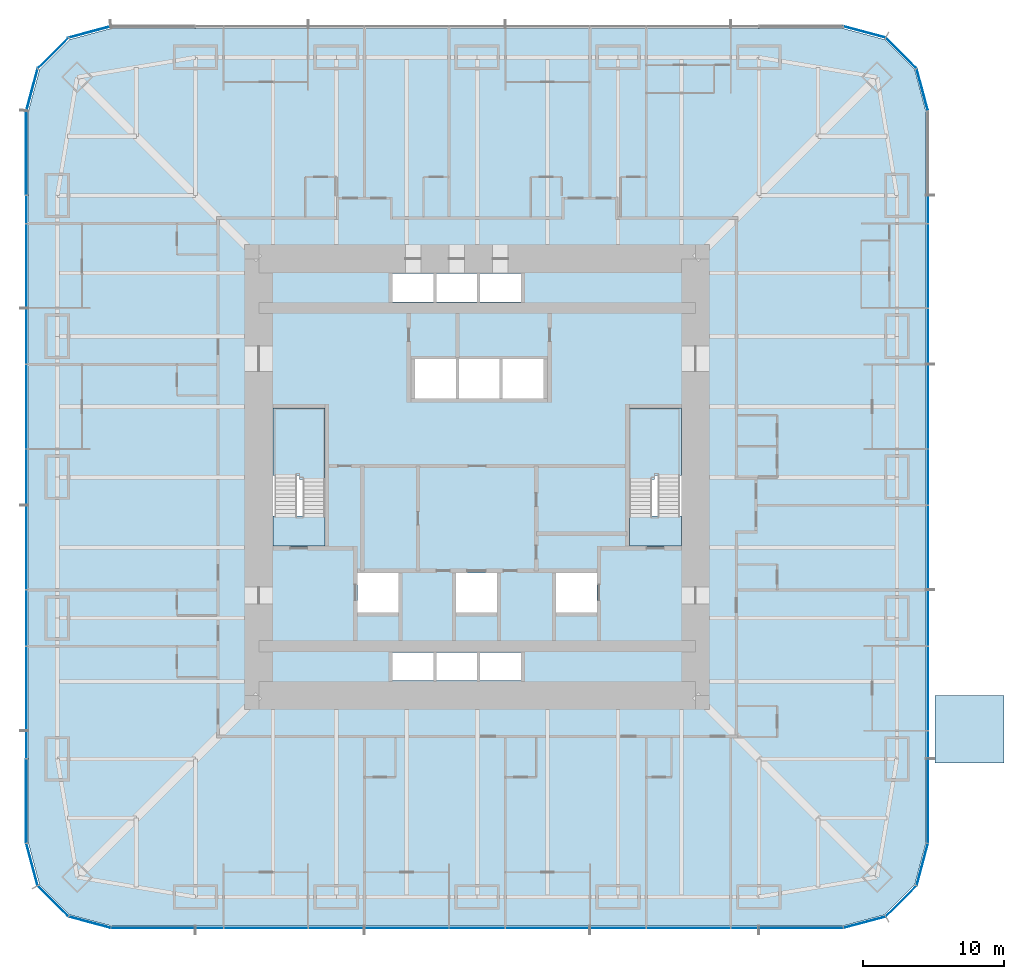
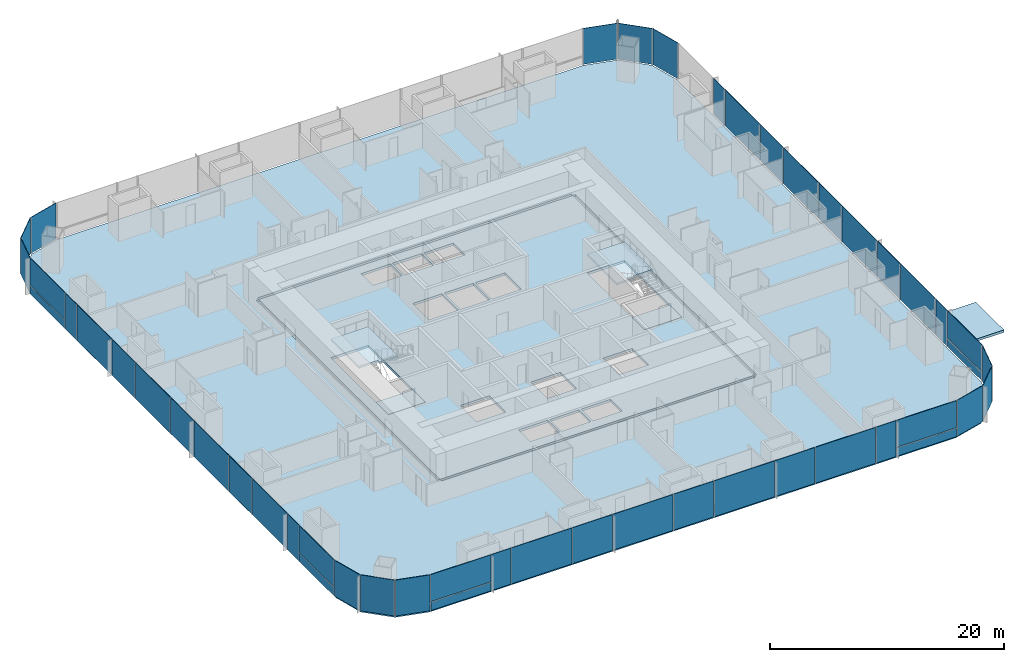
# One storey, part 13 of 20: 49 plates, 7 slabs, 9 elements without a shape of their own.
"""IFC4 building model written with IfcOpenShell, lengths in metres."""

from ifc_helpers import new_model, si_unit, direction, frame, origin, origin_2d, place, context, subcontext, project, spatial, polyline, rectangle, outline, extrude, material, layer, layer_set, type_object, element, aggregate, save


model = new_model("IFC4")

# Units and contexts
model_context = context("Model", 3, precision=1e-05, world=origin(), true_north=direction((0.0, 1.0)))
body_context = subcontext(model_context, "Body", "Model", "MODEL_VIEW")
ifc_project = project(units=[si_unit("LENGTHUNIT", "METRE"), si_unit("AREAUNIT", "SQUARE_METRE"), si_unit("VOLUMEUNIT", "CUBIC_METRE"), si_unit("PLANEANGLEUNIT", "RADIAN"), si_unit("MASSUNIT", "GRAM", prefix="KILO")], contexts=[model_context])

# Site, building, storey
site_placement = place(None, origin())
site = spatial("IfcSite", under=ifc_project, at=site_placement, CompositionType="ELEMENT")
building_placement = place(site_placement, origin())
building = spatial("IfcBuilding", under=site, at=building_placement, Name="Khuree Lantern Residences", CompositionType="ELEMENT")
storey_placement = place(building_placement, frame((0.0, 0.0, 24.75)))
storey = spatial("IfcBuildingStorey", under=building, at=storey_placement, Name="L05", CompositionType="ELEMENT", Elevation=24.75)

# Slab
ifc_material_1 = material(Name="Concrete C35/45", Category="concrete")
ifc_layer_1 = layer(ifc_material_1, 0.25)
ifc_layer_set_1 = layer_set([ifc_layer_1], Name="CFL250 CORE FLOOR SLAB 250")
slab_type_1 = type_object("IfcSlabType", Name="CFL250 CORE FLOOR SLAB 250", PredefinedType="FLOOR", material=ifc_layer_set_1)
slab_1_placement = place(storey_placement, frame((0.0, 0.0, -0.25)))
element("IfcSlab", 1, at=slab_1_placement, inside=storey, type_object=slab_type_1, Name="Core floor L05", PredefinedType="FLOOR", context=body_context, shape_type="SweptSolid", body=[
    extrude(outline(polyline([(-15.5, -15.5), (-15.5, 15.5), (15.5, 15.5), (15.5, -15.5), (-15.5, -15.5)]), holes=[polyline([(14.5, 4.89990234375), (10.800048828125, 4.89990234375), (10.800048828125, -4.89990234375), (14.5, -4.89990234375), (14.5, 4.89990234375)]), polyline([(8.5, -6.800048828125), (5.60009765625, -6.800048828125), (5.60009765625, -9.60009765625), (8.5, -9.60009765625), (8.5, -6.800048828125)]), polyline([(4.699951171875, 8.39990234375), (1.800048828125, 8.39990234375), (1.800048828125, 5.60009765625), (4.699951171875, 5.60009765625), (4.699951171875, 8.39990234375)]), polyline([(0.199951171875, -12.449951171875), (0.199951171875, -14.449951171875), (3.10009765625, -14.449951171875), (3.10009765625, -12.449951171875), (0.199951171875, -12.449951171875)]), polyline([(3.10009765625, 14.449951171875), (0.199951171875, 14.449951171875), (0.199951171875, 12.449951171875), (3.10009765625, 12.449951171875), (3.10009765625, 14.449951171875)]), polyline([(1.60009765625, 8.39990234375), (-1.300048828125, 8.39990234375), (-1.300048828125, 5.60009765625), (1.60009765625, 5.60009765625), (1.60009765625, 8.39990234375)]), polyline([(1.39990234375, -6.800048828125), (-1.5, -6.800048828125), (-1.5, -9.60009765625), (1.39990234375, -9.60009765625), (1.39990234375, -6.800048828125)]), polyline([(0.0, -12.449951171875), (-2.89990234375, -12.449951171875), (-2.89990234375, -14.449951171875), (0.0, -14.449951171875), (0.0, -12.449951171875)]), polyline([(0.0, 14.449951171875), (-2.89990234375, 14.449951171875), (-2.89990234375, 12.449951171875), (0.0, 12.449951171875), (0.0, 14.449951171875)]), polyline([(-1.5, 8.39990234375), (-4.39990234375, 8.39990234375), (-4.39990234375, 5.60009765625), (-1.5, 5.60009765625), (-1.5, 8.39990234375)]), polyline([(-6.0, -12.449951171875), (-6.0, -14.449951171875), (-3.10009765625, -14.449951171875), (-3.10009765625, -12.449951171875), (-6.0, -12.449951171875)]), polyline([(-3.10009765625, 14.449951171875), (-6.0, 14.449951171875), (-6.0, 12.449951171875), (-3.10009765625, 12.449951171875), (-3.10009765625, 14.449951171875)]), polyline([(-5.60009765625, -6.800048828125), (-8.5, -6.800048828125), (-8.5, -9.60009765625), (-5.60009765625, -9.60009765625), (-5.60009765625, -6.800048828125)]), polyline([(-10.800048828125, 4.89990234375), (-14.5, 4.89990234375), (-14.5, -4.89990234375), (-10.800048828125, -4.89990234375), (-10.800048828125, 4.89990234375)])]), origin(), (0.0, 0.0, 1.0), 0.25),
])

# Curtain wall, plates
ifc_material_2 = material(Name="Bronze anodised aluminium", Category="aluminium")
curtain_wall_type_1 = type_object("IfcCurtainWallType", Name="CW-T2 TOWER CORNER CURTAIN WALL", PredefinedType="USERDEFINED", material=ifc_material_2)
curtain_wall_1_placement = place(storey_placement, origin())
curtain_wall_1 = element("IfcCurtainWall", 2, at=curtain_wall_1_placement, inside=storey, type_object=curtain_wall_type_1, Name="L05 SOUTH-EAST CORNER CURTAIN WALL", ObjectType="Faceted corner curtain wall", PredefinedType="USERDEFINED")
ifc_material_3 = material(Name="Bronze tinted triple glazing", Category="glass")
ifc_layer_2 = layer(ifc_material_3, 0.048095703125)
ifc_layer_set_2 = layer_set([ifc_layer_2], Name="FACET PANEL P4")
plate_type_1 = type_object("IfcPlateType", Name="FACET PANEL P4", PredefinedType="CURTAIN_PANEL", material=ifc_layer_set_2)
plate_1_placement = place(storey_placement, frame((27.498046875, -31.5986328125, 0.0), z_axis=(0.0, 0.0, 1.0), x_axis=(0.965925792265, 0.258819172081, 0.0)))
plate_1 = element("IfcPlate", 3, at=plate_1_placement, type_object=plate_type_1, Name="L05 SOUTH-EAST CORNER PANEL 1.1", PredefinedType="CURTAIN_PANEL", context=body_context, shape_type="SweptSolid", body=[
    extrude(rectangle(XDim=3.02978515625, YDim=0.048095703125, at=origin_2d()), origin(), (0.0, 0.0, 1.0), 3.75),
])
plate_2_placement = place(storey_placement, frame((30.09814453125, -30.09814453125, 0.0), z_axis=(0.0, 0.0, 1.0), x_axis=(0.707106781187, 0.707106781187, 0.0)))
plate_2 = element("IfcPlate", 4, at=plate_2_placement, type_object=plate_type_1, Name="L05 SOUTH-EAST CORNER PANEL 2.1", PredefinedType="CURTAIN_PANEL", context=body_context, shape_type="SweptSolid", body=[
    extrude(rectangle(XDim=3.025634765625, YDim=0.048095703125, at=origin_2d()), origin(), (0.0, 0.0, 1.0), 3.75),
])
plate_3_placement = place(storey_placement, frame((31.5986328125, -27.498046875, 0.0), z_axis=(0.0, 0.0, 1.0), x_axis=(0.258819172081, 0.965925792265, 0.0)))
plate_3 = element("IfcPlate", 5, at=plate_3_placement, type_object=plate_type_1, Name="L05 SOUTH-EAST CORNER PANEL 3.1", PredefinedType="CURTAIN_PANEL", context=body_context, shape_type="SweptSolid", body=[
    extrude(rectangle(XDim=3.02978515625, YDim=0.048095703125, at=origin_2d()), origin(), (0.0, 0.0, 1.0), 3.75),
])
aggregate(curtain_wall_1, [plate_1, plate_2, plate_3])

curtain_wall_2_placement = place(storey_placement, origin())
curtain_wall_2 = element("IfcCurtainWall", 6, at=curtain_wall_2_placement, inside=storey, type_object=curtain_wall_type_1, Name="L05 NORTH-EAST CORNER CURTAIN WALL", ObjectType="Faceted corner curtain wall", PredefinedType="USERDEFINED")
plate_4_placement = place(storey_placement, frame((31.5986328125, 27.498046875, 0.0), z_axis=(0.0, 0.0, 1.0), x_axis=(-0.258819172081, 0.965925792265, 0.0)))
plate_4 = element("IfcPlate", 7, at=plate_4_placement, type_object=plate_type_1, Name="L05 NORTH-EAST CORNER PANEL 15.1", PredefinedType="CURTAIN_PANEL", context=body_context, shape_type="SweptSolid", body=[
    extrude(rectangle(XDim=3.02978515625, YDim=0.048095703125, at=origin_2d()), origin(), (0.0, 0.0, 1.0), 3.75),
])
plate_5_placement = place(storey_placement, frame((30.09814453125, 30.09814453125, 0.0), z_axis=(0.0, 0.0, 1.0), x_axis=(-0.707106781187, 0.707106781187, 0.0)))
plate_5 = element("IfcPlate", 8, at=plate_5_placement, type_object=plate_type_1, Name="L05 NORTH-EAST CORNER PANEL 16.1", PredefinedType="CURTAIN_PANEL", context=body_context, shape_type="SweptSolid", body=[
    extrude(rectangle(XDim=3.025634765625, YDim=0.048095703125, at=origin_2d()), origin(), (0.0, 0.0, 1.0), 3.75),
])
plate_6_placement = place(storey_placement, frame((27.498046875, 31.5986328125, 0.0), z_axis=(0.0, 0.0, 1.0), x_axis=(-0.965925792265, 0.258819172081, 0.0)))
plate_6 = element("IfcPlate", 9, at=plate_6_placement, type_object=plate_type_1, Name="L05 NORTH-EAST CORNER PANEL 17.1", PredefinedType="CURTAIN_PANEL", context=body_context, shape_type="SweptSolid", body=[
    extrude(rectangle(XDim=3.02978515625, YDim=0.048095703125, at=origin_2d()), origin(), (0.0, 0.0, 1.0), 3.75),
])
aggregate(curtain_wall_2, [plate_4, plate_5, plate_6])

curtain_wall_3_placement = place(storey_placement, origin())
curtain_wall_3 = element("IfcCurtainWall", 10, at=curtain_wall_3_placement, inside=storey, type_object=curtain_wall_type_1, Name="L05 NORTH-WEST CORNER CURTAIN WALL", ObjectType="Faceted corner curtain wall", PredefinedType="USERDEFINED")
plate_7_placement = place(storey_placement, frame((-27.498046875, 31.5986328125, 0.0), z_axis=(0.0, 0.0, 1.0), x_axis=(-0.965925792265, -0.258819172081, 0.0)))
plate_7 = element("IfcPlate", 11, at=plate_7_placement, type_object=plate_type_1, Name="L05 NORTH-WEST CORNER PANEL 29.1", PredefinedType="CURTAIN_PANEL", context=body_context, shape_type="SweptSolid", body=[
    extrude(rectangle(XDim=3.02978515625, YDim=0.048095703125, at=origin_2d()), origin(), (0.0, 0.0, 1.0), 3.75),
])
plate_8_placement = place(storey_placement, frame((-30.09814453125, 30.09814453125, 0.0), z_axis=(0.0, 0.0, 1.0), x_axis=(-0.707106781187, -0.707106781187, 0.0)))
plate_8 = element("IfcPlate", 12, at=plate_8_placement, type_object=plate_type_1, Name="L05 NORTH-WEST CORNER PANEL 30.1", PredefinedType="CURTAIN_PANEL", context=body_context, shape_type="SweptSolid", body=[
    extrude(rectangle(XDim=3.025634765625, YDim=0.048095703125, at=origin_2d()), origin(), (0.0, 0.0, 1.0), 3.75),
])
plate_9_placement = place(storey_placement, frame((-31.5986328125, 27.498046875, 0.0), z_axis=(0.0, 0.0, 1.0), x_axis=(-0.258819172081, -0.965925792265, 0.0)))
plate_9 = element("IfcPlate", 13, at=plate_9_placement, type_object=plate_type_1, Name="L05 NORTH-WEST CORNER PANEL 31.1", PredefinedType="CURTAIN_PANEL", context=body_context, shape_type="SweptSolid", body=[
    extrude(rectangle(XDim=3.02978515625, YDim=0.048095703125, at=origin_2d()), origin(), (0.0, 0.0, 1.0), 3.75),
])
aggregate(curtain_wall_3, [plate_7, plate_8, plate_9])

curtain_wall_4_placement = place(storey_placement, origin())
curtain_wall_4 = element("IfcCurtainWall", 14, at=curtain_wall_4_placement, inside=storey, type_object=curtain_wall_type_1, Name="L05 SOUTH-WEST CORNER CURTAIN WALL", ObjectType="Faceted corner curtain wall", PredefinedType="USERDEFINED")
plate_10_placement = place(storey_placement, frame((-31.5986328125, -27.498046875, 0.0), z_axis=(0.0, 0.0, 1.0), x_axis=(0.258819172081, -0.965925792265, 0.0)))
plate_10 = element("IfcPlate", 15, at=plate_10_placement, type_object=plate_type_1, Name="L05 SOUTH-WEST CORNER PANEL 43.1", PredefinedType="CURTAIN_PANEL", context=body_context, shape_type="SweptSolid", body=[
    extrude(rectangle(XDim=3.02978515625, YDim=0.048095703125, at=origin_2d()), origin(), (0.0, 0.0, 1.0), 3.75),
])
plate_11_placement = place(storey_placement, frame((-30.09814453125, -30.09814453125, 0.0), z_axis=(0.0, 0.0, 1.0), x_axis=(0.707106781187, -0.707106781187, 0.0)))
plate_11 = element("IfcPlate", 16, at=plate_11_placement, type_object=plate_type_1, Name="L05 SOUTH-WEST CORNER PANEL 44.1", PredefinedType="CURTAIN_PANEL", context=body_context, shape_type="SweptSolid", body=[
    extrude(rectangle(XDim=3.025634765625, YDim=0.048095703125, at=origin_2d()), origin(), (0.0, 0.0, 1.0), 3.75),
])
plate_12_placement = place(storey_placement, frame((-27.498046875, -31.5986328125, 0.0), z_axis=(0.0, 0.0, 1.0), x_axis=(0.965925792265, -0.258819172081, 0.0)))
plate_12 = element("IfcPlate", 17, at=plate_12_placement, type_object=plate_type_1, Name="L05 SOUTH-WEST CORNER PANEL 45.1", PredefinedType="CURTAIN_PANEL", context=body_context, shape_type="SweptSolid", body=[
    extrude(rectangle(XDim=3.02978515625, YDim=0.048095703125, at=origin_2d()), origin(), (0.0, 0.0, 1.0), 3.75),
])
aggregate(curtain_wall_4, [plate_10, plate_11, plate_12])

curtain_wall_type_2 = type_object("IfcCurtainWallType", Name="CW-T1 TOWER FACE CURTAIN WALL", PredefinedType="USERDEFINED", material=ifc_material_2)
curtain_wall_5_placement = place(storey_placement, origin())
curtain_wall_5 = element("IfcCurtainWall", 18, at=curtain_wall_5_placement, inside=storey, type_object=curtain_wall_type_2, Name="L05 EAST FACE CURTAIN WALL", ObjectType="Stick-built curtain wall", PredefinedType="USERDEFINED")
ifc_material_4 = material(Name="Bronze tinted triple glazing with a ceramic-fritted spandrel band", Category="glass")
ifc_layer_3 = layer(ifc_material_4, 0.048095703125)
ifc_layer_set_3 = layer_set([ifc_layer_3], Name="FIXED LIGHT PANEL P11")
plate_type_2 = type_object("IfcPlateType", Name="FIXED LIGHT PANEL P11", PredefinedType="CURTAIN_PANEL", material=ifc_layer_set_3)
plate_13_placement = place(storey_placement, frame((32.0, -15.0, 0.0), z_axis=(0.0, 0.0, 1.0), x_axis=(0.0, 1.0, 0.0)))
plate_13 = element("IfcPlate", 19, at=plate_13_placement, type_object=plate_type_2, Name="L05 EAST FACE PANEL 6.1", PredefinedType="CURTAIN_PANEL", context=body_context, shape_type="SweptSolid", body=[
    extrude(rectangle(XDim=5.93505859375, YDim=0.048095703125, at=origin_2d()), origin(), (0.0, 0.0, 1.0), 3.75),
])
plate_14_placement = place(storey_placement, frame((32.0, -5.0, 0.0), z_axis=(0.0, 0.0, 1.0), x_axis=(0.0, 1.0, 0.0)))
plate_14 = element("IfcPlate", 20, at=plate_14_placement, type_object=plate_type_2, Name="L05 EAST FACE PANEL 8.1", PredefinedType="CURTAIN_PANEL", context=body_context, shape_type="SweptSolid", body=[
    extrude(rectangle(XDim=5.93505859375, YDim=0.048095703125, at=origin_2d()), origin(), (0.0, 0.0, 1.0), 3.75),
])
plate_15_placement = place(storey_placement, frame((32.0, 5.0, 0.0), z_axis=(0.0, 0.0, 1.0), x_axis=(0.0, 1.0, 0.0)))
plate_15 = element("IfcPlate", 21, at=plate_15_placement, type_object=plate_type_2, Name="L05 EAST FACE PANEL 10.1", PredefinedType="CURTAIN_PANEL", context=body_context, shape_type="SweptSolid", body=[
    extrude(rectangle(XDim=5.93505859375, YDim=0.048095703125, at=origin_2d()), origin(), (0.0, 0.0, 1.0), 3.75),
])
plate_16_placement = place(storey_placement, frame((32.0, 15.0, 0.0), z_axis=(0.0, 0.0, 1.0), x_axis=(0.0, 1.0, 0.0)))
plate_16 = element("IfcPlate", 22, at=plate_16_placement, type_object=plate_type_2, Name="L05 EAST FACE PANEL 12.1", PredefinedType="CURTAIN_PANEL", context=body_context, shape_type="SweptSolid", body=[
    extrude(rectangle(XDim=5.93505859375, YDim=0.048095703125, at=origin_2d()), origin(), (0.0, 0.0, 1.0), 3.75),
])

curtain_wall_6_placement = place(storey_placement, origin())
curtain_wall_6 = element("IfcCurtainWall", 23, at=curtain_wall_6_placement, inside=storey, type_object=curtain_wall_type_2, Name="L05 WEST FACE CURTAIN WALL", ObjectType="Stick-built curtain wall", PredefinedType="USERDEFINED")
plate_17_placement = place(storey_placement, frame((-32.0, 15.0, 0.0), z_axis=(0.0, 0.0, 1.0), x_axis=(0.0, -1.0, 0.0)))
plate_17 = element("IfcPlate", 24, at=plate_17_placement, type_object=plate_type_2, Name="L05 WEST FACE PANEL 34.1", PredefinedType="CURTAIN_PANEL", context=body_context, shape_type="SweptSolid", body=[
    extrude(rectangle(XDim=5.93505859375, YDim=0.048095703125, at=origin_2d()), origin(), (0.0, 0.0, 1.0), 3.75),
])
plate_18_placement = place(storey_placement, frame((-32.0, 5.0, 0.0), z_axis=(0.0, 0.0, 1.0), x_axis=(0.0, -1.0, 0.0)))
plate_18 = element("IfcPlate", 25, at=plate_18_placement, type_object=plate_type_2, Name="L05 WEST FACE PANEL 36.1", PredefinedType="CURTAIN_PANEL", context=body_context, shape_type="SweptSolid", body=[
    extrude(rectangle(XDim=5.93505859375, YDim=0.048095703125, at=origin_2d()), origin(), (0.0, 0.0, 1.0), 3.75),
])
plate_19_placement = place(storey_placement, frame((-32.0, -5.0, 0.0), z_axis=(0.0, 0.0, 1.0), x_axis=(0.0, -1.0, 0.0)))
plate_19 = element("IfcPlate", 26, at=plate_19_placement, type_object=plate_type_2, Name="L05 WEST FACE PANEL 38.1", PredefinedType="CURTAIN_PANEL", context=body_context, shape_type="SweptSolid", body=[
    extrude(rectangle(XDim=5.93505859375, YDim=0.048095703125, at=origin_2d()), origin(), (0.0, 0.0, 1.0), 3.75),
])
plate_20_placement = place(storey_placement, frame((-32.0, -15.0, 0.0), z_axis=(0.0, 0.0, 1.0), x_axis=(0.0, -1.0, 0.0)))
plate_20 = element("IfcPlate", 27, at=plate_20_placement, type_object=plate_type_2, Name="L05 WEST FACE PANEL 40.1", PredefinedType="CURTAIN_PANEL", context=body_context, shape_type="SweptSolid", body=[
    extrude(rectangle(XDim=5.93505859375, YDim=0.048095703125, at=origin_2d()), origin(), (0.0, 0.0, 1.0), 3.75),
])

curtain_wall_7_placement = place(storey_placement, origin())
curtain_wall_7 = element("IfcCurtainWall", 28, at=curtain_wall_7_placement, inside=storey, type_object=curtain_wall_type_2, Name="L05 SOUTH FACE CURTAIN WALL", ObjectType="Stick-built curtain wall", PredefinedType="USERDEFINED")
plate_21_placement = place(storey_placement, frame((-15.0, -32.0, 0.0), z_axis=(0.0, 0.0, 1.0), x_axis=(1.0, 0.0, 0.0)))
plate_21 = element("IfcPlate", 29, at=plate_21_placement, type_object=plate_type_2, Name="L05 SOUTH FACE PANEL 48.1", PredefinedType="CURTAIN_PANEL", context=body_context, shape_type="SweptSolid", body=[
    extrude(rectangle(XDim=5.93505859375, YDim=0.048095703125, at=origin_2d()), origin(), (0.0, 0.0, 1.0), 3.75),
])
plate_22_placement = place(storey_placement, frame((-5.0, -32.0, 0.0), z_axis=(0.0, 0.0, 1.0), x_axis=(1.0, 0.0, 0.0)))
plate_22 = element("IfcPlate", 30, at=plate_22_placement, type_object=plate_type_2, Name="L05 SOUTH FACE PANEL 50.1", PredefinedType="CURTAIN_PANEL", context=body_context, shape_type="SweptSolid", body=[
    extrude(rectangle(XDim=5.93505859375, YDim=0.048095703125, at=origin_2d()), origin(), (0.0, 0.0, 1.0), 3.75),
])
plate_23_placement = place(storey_placement, frame((5.0, -32.0, 0.0), z_axis=(0.0, 0.0, 1.0), x_axis=(1.0, 0.0, 0.0)))
plate_23 = element("IfcPlate", 31, at=plate_23_placement, type_object=plate_type_2, Name="L05 SOUTH FACE PANEL 52.1", PredefinedType="CURTAIN_PANEL", context=body_context, shape_type="SweptSolid", body=[
    extrude(rectangle(XDim=5.93505859375, YDim=0.048095703125, at=origin_2d()), origin(), (0.0, 0.0, 1.0), 3.75),
])
plate_24_placement = place(storey_placement, frame((15.0, -32.0, 0.0), z_axis=(0.0, 0.0, 1.0), x_axis=(1.0, 0.0, 0.0)))
plate_24 = element("IfcPlate", 32, at=plate_24_placement, type_object=plate_type_2, Name="L05 SOUTH FACE PANEL 54.1", PredefinedType="CURTAIN_PANEL", context=body_context, shape_type="SweptSolid", body=[
    extrude(rectangle(XDim=5.93505859375, YDim=0.048095703125, at=origin_2d()), origin(), (0.0, 0.0, 1.0), 3.75),
])

# Slabs
ifc_layer_4 = layer(ifc_material_1, 0.25)
ifc_layer_set_4 = layer_set([ifc_layer_4], Name="FS250 FLOOR SLAB 250")
slab_type_2 = type_object("IfcSlabType", Name="FS250 FLOOR SLAB 250", PredefinedType="FLOOR", material=ifc_layer_set_4)
slab_2_placement = place(storey_placement, frame((0.0, 0.0, -0.25)))
element("IfcSlab", 33, at=slab_2_placement, inside=storey, type_object=slab_type_2, Name="Floor slab L05", PredefinedType="FLOOR", context=body_context, shape_type="SweptSolid", body=[
    extrude(outline(polyline([(-28.925048828125, -31.066162109375), (-31.066162109375, -28.925048828125), (-31.85009765625, -26.0), (-31.85009765625, 26.0), (-31.066162109375, 28.925048828125), (-28.925048828125, 31.066162109375), (-26.0, 31.85009765625), (26.0, 31.85009765625), (28.925048828125, 31.066162109375), (31.066162109375, 28.925048828125), (31.85009765625, 26.0), (31.85009765625, -26.0), (31.066162109375, -28.925048828125), (28.925048828125, -31.066162109375), (26.0, -31.85009765625), (-26.0, -31.85009765625), (-28.925048828125, -31.066162109375)]), holes=[polyline([(15.75, 15.5), (15.5, 15.5), (15.5, 15.75), (-15.5, 15.75), (-15.5, 15.5), (-15.75, 15.5), (-15.75, -15.5), (-15.5, -15.5), (-15.5, -15.75), (15.5, -15.75), (15.5, -15.5), (15.75, -15.5), (15.75, 15.5)])]), origin(), (0.0, 0.0, 1.0), 0.25),
])
ifc_material_5 = material(Name="Concrete C40/50", Category="concrete")
ifc_layer_5 = layer(ifc_material_5, 0.25)
ifc_layer_set_5 = layer_set([ifc_layer_5], Name="ROOF PLANT ROOM ROOF RPR250")
slab_type_3 = type_object("IfcSlabType", Name="ROOF PLANT ROOM ROOF RPR250", PredefinedType="ROOF", material=ifc_layer_set_5)
slab_3_placement = place(storey_placement, frame((0.0, 0.0, -0.25)))
element("IfcSlab", 34, at=slab_3_placement, inside=storey, type_object=slab_type_3, Name="Podium roof plant room roof", PredefinedType="ROOF", context=body_context, shape_type="SweptSolid", body=[
    extrude(outline(polyline([(32.5, -20.300048828125), (37.39990234375, -20.300048828125), (37.39990234375, -15.5), (32.5, -15.5), (32.5, -20.300048828125)])), origin(), (0.0, 0.0, 1.0), 0.25),
])

# Plate
ifc_material_6 = material(Name="Bronze tinted triple glazing, two aluminium-framed sashes in one frame", Category="aluminium")
ifc_layer_6 = layer(ifc_material_6, 0.048095703125)
ifc_layer_set_6 = layer_set([ifc_layer_6], Name="SASH PAIR PANEL P12")
plate_type_3 = type_object("IfcPlateType", Name="SASH PAIR PANEL P12", PredefinedType="CURTAIN_PANEL", material=ifc_layer_set_6)
plate_25_placement = place(storey_placement, frame((32.0, -10.0, 0.0), z_axis=(0.0, 0.0, 1.0), x_axis=(0.0, 1.0, 0.0)))
plate_25 = element("IfcPlate", 35, at=plate_25_placement, type_object=plate_type_3, Name="L05 EAST FACE PANEL 7.1", PredefinedType="CURTAIN_PANEL", context=body_context, shape_type="SweptSolid", body=[
    extrude(rectangle(XDim=3.93505859375, YDim=0.048095703125, at=origin_2d()), origin(), (0.0, 0.0, 1.0), 3.75),
])

plate_26_placement = place(storey_placement, frame((32.0, 0.0, 0.0), z_axis=(0.0, 0.0, 1.0), x_axis=(0.0, 1.0, 0.0)))
plate_26 = element("IfcPlate", 36, at=plate_26_placement, type_object=plate_type_3, Name="L05 EAST FACE PANEL 9.1", PredefinedType="CURTAIN_PANEL", context=body_context, shape_type="SweptSolid", body=[
    extrude(rectangle(XDim=3.93505859375, YDim=0.048095703125, at=origin_2d()), origin(), (0.0, 0.0, 1.0), 3.75),
])

plate_27_placement = place(storey_placement, frame((32.0, 10.0, 0.0), z_axis=(0.0, 0.0, 1.0), x_axis=(0.0, 1.0, 0.0)))
plate_27 = element("IfcPlate", 37, at=plate_27_placement, type_object=plate_type_3, Name="L05 EAST FACE PANEL 11.1", PredefinedType="CURTAIN_PANEL", context=body_context, shape_type="SweptSolid", body=[
    extrude(rectangle(XDim=3.93505859375, YDim=0.048095703125, at=origin_2d()), origin(), (0.0, 0.0, 1.0), 3.75),
])

plate_28_placement = place(storey_placement, frame((-32.0, 10.0, 0.0), z_axis=(0.0, 0.0, 1.0), x_axis=(0.0, -1.0, 0.0)))
plate_28 = element("IfcPlate", 38, at=plate_28_placement, type_object=plate_type_3, Name="L05 WEST FACE PANEL 35.1", PredefinedType="CURTAIN_PANEL", context=body_context, shape_type="SweptSolid", body=[
    extrude(rectangle(XDim=3.93505859375, YDim=0.048095703125, at=origin_2d()), origin(), (0.0, 0.0, 1.0), 3.75),
])

plate_29_placement = place(storey_placement, frame((-32.0, 0.0, 0.0), z_axis=(0.0, 0.0, 1.0), x_axis=(0.0, -1.0, 0.0)))
plate_29 = element("IfcPlate", 39, at=plate_29_placement, type_object=plate_type_3, Name="L05 WEST FACE PANEL 37.1", PredefinedType="CURTAIN_PANEL", context=body_context, shape_type="SweptSolid", body=[
    extrude(rectangle(XDim=3.93505859375, YDim=0.048095703125, at=origin_2d()), origin(), (0.0, 0.0, 1.0), 3.75),
])

plate_30_placement = place(storey_placement, frame((-32.0, -10.0, 0.0), z_axis=(0.0, 0.0, 1.0), x_axis=(0.0, -1.0, 0.0)))
plate_30 = element("IfcPlate", 40, at=plate_30_placement, type_object=plate_type_3, Name="L05 WEST FACE PANEL 39.1", PredefinedType="CURTAIN_PANEL", context=body_context, shape_type="SweptSolid", body=[
    extrude(rectangle(XDim=3.93505859375, YDim=0.048095703125, at=origin_2d()), origin(), (0.0, 0.0, 1.0), 3.75),
])

plate_31_placement = place(storey_placement, frame((-10.0, -32.0, 0.0), z_axis=(0.0, 0.0, 1.0), x_axis=(1.0, 0.0, 0.0)))
plate_31 = element("IfcPlate", 41, at=plate_31_placement, type_object=plate_type_3, Name="L05 SOUTH FACE PANEL 49.1", PredefinedType="CURTAIN_PANEL", context=body_context, shape_type="SweptSolid", body=[
    extrude(rectangle(XDim=3.93505859375, YDim=0.048095703125, at=origin_2d()), origin(), (0.0, 0.0, 1.0), 3.75),
])

plate_32_placement = place(storey_placement, frame((0.0, -32.0, 0.0), z_axis=(0.0, 0.0, 1.0), x_axis=(1.0, 0.0, 0.0)))
plate_32 = element("IfcPlate", 42, at=plate_32_placement, type_object=plate_type_3, Name="L05 SOUTH FACE PANEL 51.1", PredefinedType="CURTAIN_PANEL", context=body_context, shape_type="SweptSolid", body=[
    extrude(rectangle(XDim=3.93505859375, YDim=0.048095703125, at=origin_2d()), origin(), (0.0, 0.0, 1.0), 3.75),
])

plate_33_placement = place(storey_placement, frame((10.0, -32.0, 0.0), z_axis=(0.0, 0.0, 1.0), x_axis=(1.0, 0.0, 0.0)))
plate_33 = element("IfcPlate", 43, at=plate_33_placement, type_object=plate_type_3, Name="L05 SOUTH FACE PANEL 53.1", PredefinedType="CURTAIN_PANEL", context=body_context, shape_type="SweptSolid", body=[
    extrude(rectangle(XDim=3.93505859375, YDim=0.048095703125, at=origin_2d()), origin(), (0.0, 0.0, 1.0), 3.75),
])

ifc_material_7 = material(Name="Bronze tinted triple glazing, aluminium-framed sash", Category="aluminium")
ifc_layer_7 = layer(ifc_material_7, 0.048095703125)
ifc_layer_set_7 = layer_set([ifc_layer_7], Name="SASH PANEL P3")
plate_type_4 = type_object("IfcPlateType", Name="SASH PANEL P3", PredefinedType="CURTAIN_PANEL", material=ifc_layer_set_7)
plate_34_placement = place(storey_placement, frame((32.0, -19.0, 0.0), z_axis=(0.0, 0.0, 1.0), x_axis=(0.0, 1.0, 0.0)))
plate_34 = element("IfcPlate", 44, at=plate_34_placement, type_object=plate_type_4, Name="L05 EAST FACE PANEL 5.1", PredefinedType="CURTAIN_PANEL", context=body_context, shape_type="SweptSolid", body=[
    extrude(rectangle(XDim=1.93505859375, YDim=0.048095703125, at=origin_2d()), origin(), (0.0, 0.0, 1.0), 3.75),
])

plate_35_placement = place(storey_placement, frame((32.0, 19.0, 0.0), z_axis=(0.0, 0.0, 1.0), x_axis=(0.0, 1.0, 0.0)))
plate_35 = element("IfcPlate", 45, at=plate_35_placement, type_object=plate_type_4, Name="L05 EAST FACE PANEL 13.1", PredefinedType="CURTAIN_PANEL", context=body_context, shape_type="SweptSolid", body=[
    extrude(rectangle(XDim=1.93505859375, YDim=0.048095703125, at=origin_2d()), origin(), (0.0, 0.0, 1.0), 3.75),
])

plate_36_placement = place(storey_placement, frame((-32.0, 19.0, 0.0), z_axis=(0.0, 0.0, 1.0), x_axis=(0.0, -1.0, 0.0)))
plate_36 = element("IfcPlate", 46, at=plate_36_placement, type_object=plate_type_4, Name="L05 WEST FACE PANEL 33.1", PredefinedType="CURTAIN_PANEL", context=body_context, shape_type="SweptSolid", body=[
    extrude(rectangle(XDim=1.93505859375, YDim=0.048095703125, at=origin_2d()), origin(), (0.0, 0.0, 1.0), 3.75),
])

plate_37_placement = place(storey_placement, frame((-32.0, -19.0, 0.0), z_axis=(0.0, 0.0, 1.0), x_axis=(0.0, -1.0, 0.0)))
plate_37 = element("IfcPlate", 47, at=plate_37_placement, type_object=plate_type_4, Name="L05 WEST FACE PANEL 41.1", PredefinedType="CURTAIN_PANEL", context=body_context, shape_type="SweptSolid", body=[
    extrude(rectangle(XDim=1.93505859375, YDim=0.048095703125, at=origin_2d()), origin(), (0.0, 0.0, 1.0), 3.75),
])

plate_38_placement = place(storey_placement, frame((-19.0, -32.0, 0.0), z_axis=(0.0, 0.0, 1.0), x_axis=(1.0, 0.0, 0.0)))
plate_38 = element("IfcPlate", 48, at=plate_38_placement, type_object=plate_type_4, Name="L05 SOUTH FACE PANEL 47.1", PredefinedType="CURTAIN_PANEL", context=body_context, shape_type="SweptSolid", body=[
    extrude(rectangle(XDim=1.93505859375, YDim=0.048095703125, at=origin_2d()), origin(), (0.0, 0.0, 1.0), 3.75),
])

plate_39_placement = place(storey_placement, frame((19.0, -32.0, 0.0), z_axis=(0.0, 0.0, 1.0), x_axis=(1.0, 0.0, 0.0)))
plate_39 = element("IfcPlate", 49, at=plate_39_placement, type_object=plate_type_4, Name="L05 SOUTH FACE PANEL 55.1", PredefinedType="CURTAIN_PANEL", context=body_context, shape_type="SweptSolid", body=[
    extrude(rectangle(XDim=1.93505859375, YDim=0.048095703125, at=origin_2d()), origin(), (0.0, 0.0, 1.0), 3.75),
])

ifc_material_8 = material(Name="Bronze anodised aluminium insulated spandrel", Category="aluminium")
ifc_layer_8 = layer(ifc_material_8, 0.06005859375)
ifc_layer_set_8 = layer_set([ifc_layer_8], Name="SPANDREL PANEL P2")
plate_type_5 = type_object("IfcPlateType", Name="SPANDREL PANEL P2", PredefinedType="CURTAIN_PANEL", material=ifc_layer_set_8)
plate_40_placement = place(storey_placement, frame((32.0, -22.997802734375, 0.0), z_axis=(0.0, 0.0, 1.0), x_axis=(0.0, 1.0, 0.0)))
plate_40 = element("IfcPlate", 50, at=plate_40_placement, type_object=plate_type_5, Name="L05 EAST FACE PANEL 4.1", PredefinedType="CURTAIN_PANEL", context=body_context, shape_type="SweptSolid", body=[
    extrude(rectangle(XDim=5.9306640625, YDim=0.06005859375, at=origin_2d()), origin(), (0.0, 0.0, 1.0), 0.867431640625),
])

plate_41_placement = place(storey_placement, frame((-32.0, 22.997802734375, 0.0), z_axis=(0.0, 0.0, 1.0), x_axis=(0.0, -1.0, 0.0)))
plate_41 = element("IfcPlate", 51, at=plate_41_placement, type_object=plate_type_5, Name="L05 WEST FACE PANEL 32.1", PredefinedType="CURTAIN_PANEL", context=body_context, shape_type="SweptSolid", body=[
    extrude(rectangle(XDim=5.9306640625, YDim=0.06005859375, at=origin_2d()), origin(), (0.0, 0.0, 1.0), 0.867431640625),
])

plate_42_placement = place(storey_placement, frame((-32.0, -22.997802734375, 0.0), z_axis=(0.0, 0.0, 1.0), x_axis=(0.0, -1.0, 0.0)))
plate_42 = element("IfcPlate", 52, at=plate_42_placement, type_object=plate_type_5, Name="L05 WEST FACE PANEL 42.1", PredefinedType="CURTAIN_PANEL", context=body_context, shape_type="SweptSolid", body=[
    extrude(rectangle(XDim=5.9306640625, YDim=0.06005859375, at=origin_2d()), origin(), (0.0, 0.0, 1.0), 0.867431640625),
])

plate_43_placement = place(storey_placement, frame((-22.997802734375, -32.0, 0.0), z_axis=(0.0, 0.0, 1.0), x_axis=(1.0, 0.0, 0.0)))
plate_43 = element("IfcPlate", 53, at=plate_43_placement, type_object=plate_type_5, Name="L05 SOUTH FACE PANEL 46.1", PredefinedType="CURTAIN_PANEL", context=body_context, shape_type="SweptSolid", body=[
    extrude(rectangle(XDim=5.9306640625, YDim=0.06005859375, at=origin_2d()), origin(), (0.0, 0.0, 1.0), 0.867431640625),
])

plate_44_placement = place(storey_placement, frame((22.997802734375, -32.0, 0.0), z_axis=(0.0, 0.0, 1.0), x_axis=(1.0, 0.0, 0.0)))
plate_44 = element("IfcPlate", 54, at=plate_44_placement, type_object=plate_type_5, Name="L05 SOUTH FACE PANEL 56.1", PredefinedType="CURTAIN_PANEL", context=body_context, shape_type="SweptSolid", body=[
    extrude(rectangle(XDim=5.9306640625, YDim=0.06005859375, at=origin_2d()), origin(), (0.0, 0.0, 1.0), 0.867431640625),
])

# Stair, slabs
stair_type = type_object("IfcStairType", Name="STAIR ST1 HALF TURN 3600", PredefinedType="HALF_TURN_STAIR", material=ifc_material_5)
stair_1_placement = place(storey_placement, origin())
stair_1 = element("IfcStair", 55, at=stair_1_placement, inside=storey, type_object=stair_type, Name="Stair ST1", PredefinedType="HALF_TURN_STAIR")
ifc_layer_9 = layer(ifc_material_5, 0.199951171875)
ifc_layer_set_9 = layer_set([ifc_layer_9], Name="STAIR LANDING SL1 200")
slab_type_4 = type_object("IfcSlabType", Name="STAIR LANDING SL1 200", PredefinedType="LANDING", material=ifc_layer_set_9)
slab_4_placement = place(storey_placement, frame((0.0, 0.0, -0.199951171875)))
slab_4 = element("IfcSlab", 56, at=slab_4_placement, type_object=slab_type_4, Name="ST1 landing 1", PredefinedType="LANDING", context=body_context, shape_type="SweptSolid", body=[
    extrude(outline(polyline([(-14.5, -4.89990234375), (-10.800048828125, -4.89990234375), (-10.800048828125, -2.760009765625), (-14.5, -2.760009765625), (-14.5, -4.89990234375)])), origin(), (0.0, 0.0, 1.0), 0.199951171875),
])
slab_5_placement = place(storey_placement, frame((0.0, 0.0, 1.756591796875)))
slab_5 = element("IfcSlab", 57, at=slab_5_placement, type_object=slab_type_4, Name="ST1 landing 2", PredefinedType="LANDING", context=body_context, shape_type="SweptSolid", body=[
    extrude(outline(polyline([(-14.5, 0.1201171875), (-14.5, 4.89990234375), (-10.800048828125, 4.89990234375), (-10.800048828125, -0.159912109375), (-12.60009765625, -0.159912109375), (-12.60009765625, 0.1201171875), (-14.5, 0.1201171875)])), origin(), (0.0, 0.0, 1.0), 0.199951171875),
])
aggregate(stair_1, [slab_4, slab_5])

stair_2_placement = place(storey_placement, origin())
stair_2 = element("IfcStair", 58, at=stair_2_placement, inside=storey, type_object=stair_type, Name="Stair ST2", PredefinedType="HALF_TURN_STAIR")
slab_6_placement = place(storey_placement, frame((0.0, 0.0, -0.199951171875)))
slab_6 = element("IfcSlab", 59, at=slab_6_placement, type_object=slab_type_4, Name="ST2 landing 1", PredefinedType="LANDING", context=body_context, shape_type="SweptSolid", body=[
    extrude(outline(polyline([(10.800048828125, -4.89990234375), (14.5, -4.89990234375), (14.5, -2.760009765625), (10.800048828125, -2.760009765625), (10.800048828125, -4.89990234375)])), origin(), (0.0, 0.0, 1.0), 0.199951171875),
])
slab_7_placement = place(storey_placement, frame((0.0, 0.0, 1.756591796875)))
slab_7 = element("IfcSlab", 60, at=slab_7_placement, type_object=slab_type_4, Name="ST2 landing 2", PredefinedType="LANDING", context=body_context, shape_type="SweptSolid", body=[
    extrude(outline(polyline([(14.5, 4.89990234375), (14.5, 0.1201171875), (12.60009765625, 0.1201171875), (12.60009765625, -0.159912109375), (10.800048828125, -0.159912109375), (10.800048828125, 4.89990234375), (14.5, 4.89990234375)])), origin(), (0.0, 0.0, 1.0), 0.199951171875),
])
aggregate(stair_2, [slab_6, slab_7])

# Plate
ifc_layer_10 = layer(ifc_material_3, 0.048095703125)
ifc_layer_set_10 = layer_set([ifc_layer_10], Name="VISION PANEL P1")
plate_type_6 = type_object("IfcPlateType", Name="VISION PANEL P1", PredefinedType="CURTAIN_PANEL", material=ifc_layer_set_10)
plate_45_placement = place(storey_placement, frame((32.0, -22.998291015625, 0.9326171875), z_axis=(0.0, 0.0, 1.0), x_axis=(0.0, 1.0, 0.0)))
plate_45 = element("IfcPlate", 61, at=plate_45_placement, type_object=plate_type_6, Name="L05 EAST FACE PANEL 4.2", PredefinedType="CURTAIN_PANEL", context=body_context, shape_type="SweptSolid", body=[
    extrude(rectangle(XDim=5.931640625, YDim=0.048095703125, at=origin_2d()), origin(), (0.0, 0.0, 1.0), 2.8173828125),
])

aggregate(curtain_wall_5, [plate_40, plate_45, plate_34, plate_13, plate_25, plate_14, plate_26, plate_15, plate_27, plate_16, plate_35])

plate_46_placement = place(storey_placement, frame((-32.0, 22.998291015625, 0.9326171875), z_axis=(0.0, 0.0, 1.0), x_axis=(0.0, -1.0, 0.0)))
plate_46 = element("IfcPlate", 62, at=plate_46_placement, type_object=plate_type_6, Name="L05 WEST FACE PANEL 32.2", PredefinedType="CURTAIN_PANEL", context=body_context, shape_type="SweptSolid", body=[
    extrude(rectangle(XDim=5.931640625, YDim=0.048095703125, at=origin_2d()), origin(), (0.0, 0.0, 1.0), 2.8173828125),
])

plate_47_placement = place(storey_placement, frame((-32.0, -22.998291015625, 0.9326171875), z_axis=(0.0, 0.0, 1.0), x_axis=(0.0, -1.0, 0.0)))
plate_47 = element("IfcPlate", 63, at=plate_47_placement, type_object=plate_type_6, Name="L05 WEST FACE PANEL 42.2", PredefinedType="CURTAIN_PANEL", context=body_context, shape_type="SweptSolid", body=[
    extrude(rectangle(XDim=5.931640625, YDim=0.048095703125, at=origin_2d()), origin(), (0.0, 0.0, 1.0), 2.8173828125),
])

aggregate(curtain_wall_6, [plate_41, plate_46, plate_36, plate_17, plate_28, plate_18, plate_29, plate_19, plate_30, plate_20, plate_37, plate_42, plate_47])

plate_48_placement = place(storey_placement, frame((-22.998291015625, -32.0, 0.9326171875), z_axis=(0.0, 0.0, 1.0), x_axis=(1.0, 0.0, 0.0)))
plate_48 = element("IfcPlate", 64, at=plate_48_placement, type_object=plate_type_6, Name="L05 SOUTH FACE PANEL 46.2", PredefinedType="CURTAIN_PANEL", context=body_context, shape_type="SweptSolid", body=[
    extrude(rectangle(XDim=5.931640625, YDim=0.048095703125, at=origin_2d()), origin(), (0.0, 0.0, 1.0), 2.8173828125),
])

plate_49_placement = place(storey_placement, frame((22.998291015625, -32.0, 0.9326171875), z_axis=(0.0, 0.0, 1.0), x_axis=(1.0, 0.0, 0.0)))
plate_49 = element("IfcPlate", 65, at=plate_49_placement, type_object=plate_type_6, Name="L05 SOUTH FACE PANEL 56.2", PredefinedType="CURTAIN_PANEL", context=body_context, shape_type="SweptSolid", body=[
    extrude(rectangle(XDim=5.931640625, YDim=0.048095703125, at=origin_2d()), origin(), (0.0, 0.0, 1.0), 2.8173828125),
])

aggregate(curtain_wall_7, [plate_43, plate_48, plate_38, plate_21, plate_31, plate_22, plate_32, plate_23, plate_33, plate_24, plate_39, plate_44, plate_49])

save(model, "model.ifc")
